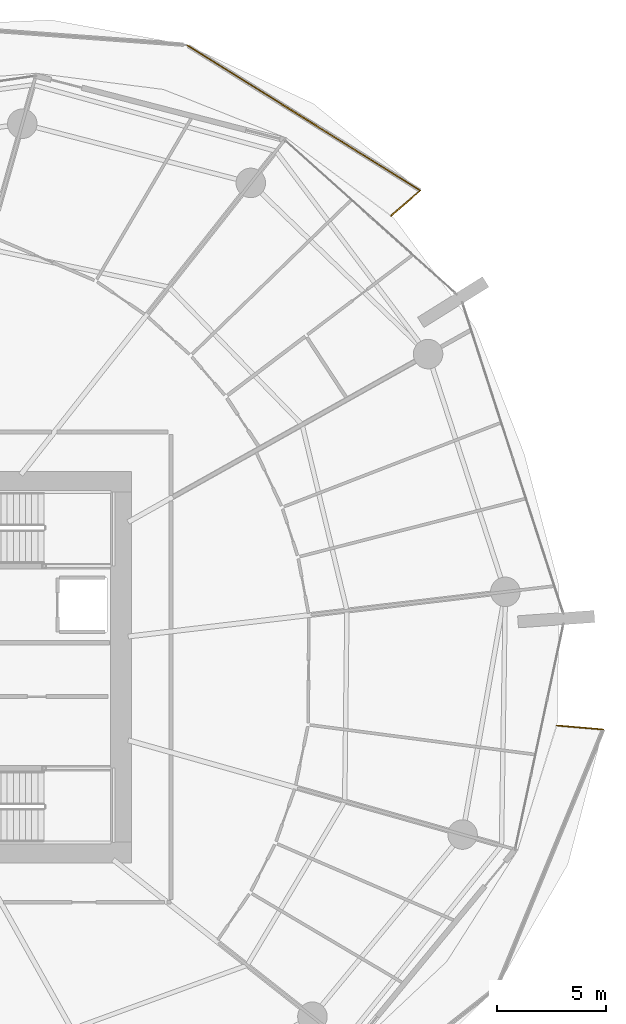
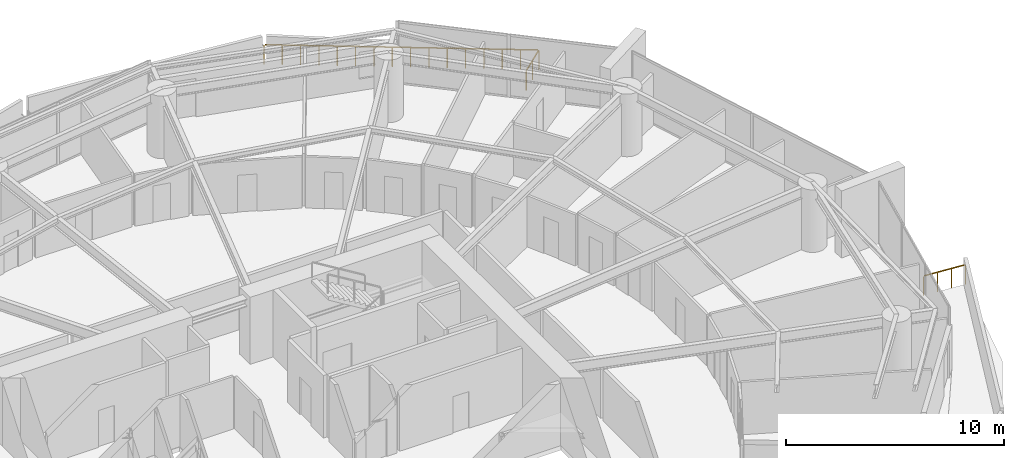
# One storey, part 31 of 31: 3 railings.
"""IFC4 building model written with IfcOpenShell, lengths in metres."""

from ifc_helpers import new_model, si_unit, direction, frame, origin, origin_2d, place, context, subcontext, project, spatial, rectangle, extrude, material, type_object, element, save


model = new_model("IFC4")

# Units and contexts
model_context = context("Model", 3, precision=1e-05, world=origin(), true_north=direction((0.0, 1.0)))
body_context = subcontext(model_context, "Body", "Model", "MODEL_VIEW")
ifc_project = project(units=[si_unit("LENGTHUNIT", "METRE"), si_unit("AREAUNIT", "SQUARE_METRE"), si_unit("VOLUMEUNIT", "CUBIC_METRE"), si_unit("PLANEANGLEUNIT", "RADIAN"), si_unit("MASSUNIT", "GRAM", prefix="KILO")], contexts=[model_context])

# Site, building, storey
site_placement = place(None, origin())
site = spatial("IfcSite", under=ifc_project, at=site_placement, CompositionType="ELEMENT")
building_placement = place(site_placement, origin())
building = spatial("IfcBuilding", under=site, at=building_placement, Name="Kazma Halo Residences", CompositionType="ELEMENT")
storey_placement = place(building_placement, frame((0.0, 0.0, 33.89990234375)))
storey = spatial("IfcBuildingStorey", under=building, at=storey_placement, Name="L07", CompositionType="ELEMENT", Elevation=33.89990234375)

# Railings
ifc_material = material(Name="Aluminium AW-6063 T6 Brushed Cap Rail", Category="aluminium")
railing_type = type_object("IfcRailingType", Name="RLG-BAL-CAP-1120", PredefinedType="BALUSTRADE", material=ifc_material)
railing_1_placement = place(storey_placement, frame((71.875732421875, 62.645263671875, 0.0)))
element("IfcRailing", 1, at=railing_1_placement, inside=storey, type_object=railing_type, Name="L07 NE wave balcony guard 1", PredefinedType="BALUSTRADE", context=body_context, shape_type="SweptSolid", body=[
    extrude(rectangle(XDim=0.050048828125, YDim=0.050048828125, at=origin_2d()), frame((0.0322265625, 0.02783203125, 1.09521484375), z_axis=(0.756352047657, 0.654164795755, 0.0), x_axis=(-0.654164795755, 0.756352047657, 0.0)), (0.0, 0.0, 1.0), 1.67578125),
    extrude(rectangle(XDim=0.0400390625, YDim=0.0400390625, at=origin_2d()), origin(), (0.0, 0.0, 1.0), 1.05810546875),
    extrude(rectangle(XDim=0.0400390625, YDim=0.0400390625, at=origin_2d()), frame((0.666015625, 0.575927734375, 0.0)), (0.0, 0.0, 1.0), 1.05810546875),
    extrude(rectangle(XDim=0.0400390625, YDim=0.0400390625, at=origin_2d()), frame((1.331787109375, 1.15185546875, 0.0)), (0.0, 0.0, 1.0), 1.05810546875),
])
railing_2_placement = place(storey_placement, frame((73.20751953125, 63.797119140625, 0.0)))
element("IfcRailing", 2, at=railing_2_placement, inside=storey, type_object=railing_type, Name="L07 NE wave balcony guard 2", PredefinedType="BALUSTRADE", context=body_context, shape_type="SweptSolid", body=[
    extrude(rectangle(XDim=0.050048828125, YDim=0.050048828125, at=origin_2d()), frame((-0.0361328125, 0.0224609375, 1.09521484375), z_axis=(-0.848702312015, 0.528870859077, 0.0), x_axis=(-0.528870859077, -0.848702312015, 0.0)), (0.0, 0.0, 1.0), 12.526123046875),
    extrude(rectangle(XDim=0.0400390625, YDim=0.0400390625, at=origin_2d()), origin(), (0.0, 0.0, 1.0), 1.05810546875),
    extrude(rectangle(XDim=0.0400390625, YDim=0.0400390625, at=origin_2d()), frame((-0.713623046875, 0.444580078125, 0.0)), (0.0, 0.0, 1.0), 1.05810546875),
    extrude(rectangle(XDim=0.0400390625, YDim=0.0400390625, at=origin_2d()), frame((-1.427001953125, 0.889404296875, 0.0)), (0.0, 0.0, 1.0), 1.05810546875),
    extrude(rectangle(XDim=0.0400390625, YDim=0.0400390625, at=origin_2d()), frame((-2.140625, 1.333984375, 0.0)), (0.0, 0.0, 1.0), 1.05810546875),
    extrude(rectangle(XDim=0.0400390625, YDim=0.0400390625, at=origin_2d()), frame((-2.854248046875, 1.778564453125, 0.0)), (0.0, 0.0, 1.0), 1.05810546875),
    extrude(rectangle(XDim=0.0400390625, YDim=0.0400390625, at=origin_2d()), frame((-3.567626953125, 2.22314453125, 0.0)), (0.0, 0.0, 1.0), 1.05810546875),
    extrude(rectangle(XDim=0.0400390625, YDim=0.0400390625, at=origin_2d()), frame((-4.28125, 2.66796875, 0.0)), (0.0, 0.0, 1.0), 1.05810546875),
    extrude(rectangle(XDim=0.0400390625, YDim=0.0400390625, at=origin_2d()), frame((-4.994873046875, 3.112548828125, 0.0)), (0.0, 0.0, 1.0), 1.05810546875),
    extrude(rectangle(XDim=0.0400390625, YDim=0.0400390625, at=origin_2d()), frame((-5.708251953125, 3.55712890625, 0.0)), (0.0, 0.0, 1.0), 1.05810546875),
    extrude(rectangle(XDim=0.0400390625, YDim=0.0400390625, at=origin_2d()), frame((-6.421875, 4.001708984375, 0.0)), (0.0, 0.0, 1.0), 1.05810546875),
    extrude(rectangle(XDim=0.0400390625, YDim=0.0400390625, at=origin_2d()), frame((-7.135498046875, 4.446533203125, 0.0)), (0.0, 0.0, 1.0), 1.05810546875),
    extrude(rectangle(XDim=0.0400390625, YDim=0.0400390625, at=origin_2d()), frame((-7.848876953125, 4.89111328125, 0.0)), (0.0, 0.0, 1.0), 1.05810546875),
    extrude(rectangle(XDim=0.0400390625, YDim=0.0400390625, at=origin_2d()), frame((-8.5625, 5.335693359375, 0.0)), (0.0, 0.0, 1.0), 1.05810546875),
    extrude(rectangle(XDim=0.0400390625, YDim=0.0400390625, at=origin_2d()), frame((-9.276123046875, 5.7802734375, 0.0)), (0.0, 0.0, 1.0), 1.05810546875),
    extrude(rectangle(XDim=0.0400390625, YDim=0.0400390625, at=origin_2d()), frame((-9.989501953125, 6.22509765625, 0.0)), (0.0, 0.0, 1.0), 1.05810546875),
    extrude(rectangle(XDim=0.0400390625, YDim=0.0400390625, at=origin_2d()), frame((-10.703125, 6.669677734375, 0.0)), (0.0, 0.0, 1.0), 1.05810546875),
])
railing_3_placement = place(storey_placement, frame((81.574462890625, 39.151123046875, 0.0)))
element("IfcRailing", 3, at=railing_3_placement, inside=storey, type_object=railing_type, Name="L07 SE wave balcony guard 4", PredefinedType="BALUSTRADE", context=body_context, shape_type="SweptSolid", body=[
    extrude(rectangle(XDim=0.050048828125, YDim=0.050048828125, at=origin_2d()), frame((-0.04248046875, 0.003662109375, 1.09521484375), z_axis=(-0.99642062311, 0.084533672819, 0.0), x_axis=(-0.084533672819, -0.99642062311, 0.0)), (0.0, 0.0, 1.0), 2.04638671875),
    extrude(rectangle(XDim=0.0400390625, YDim=0.0400390625, at=origin_2d()), origin(), (0.0, 0.0, 1.0), 1.05810546875),
    extrude(rectangle(XDim=0.0400390625, YDim=0.0400390625, at=origin_2d()), frame((-0.7080078125, 0.06005859375, 0.0)), (0.0, 0.0, 1.0), 1.05810546875),
    extrude(rectangle(XDim=0.0400390625, YDim=0.0400390625, at=origin_2d()), frame((-1.415771484375, 0.1201171875, 0.0)), (0.0, 0.0, 1.0), 1.05810546875),
    extrude(rectangle(XDim=0.0400390625, YDim=0.0400390625, at=origin_2d()), frame((-2.123779296875, 0.18017578125, 0.0)), (0.0, 0.0, 1.0), 1.05810546875),
])

save(model, "model.ifc")
